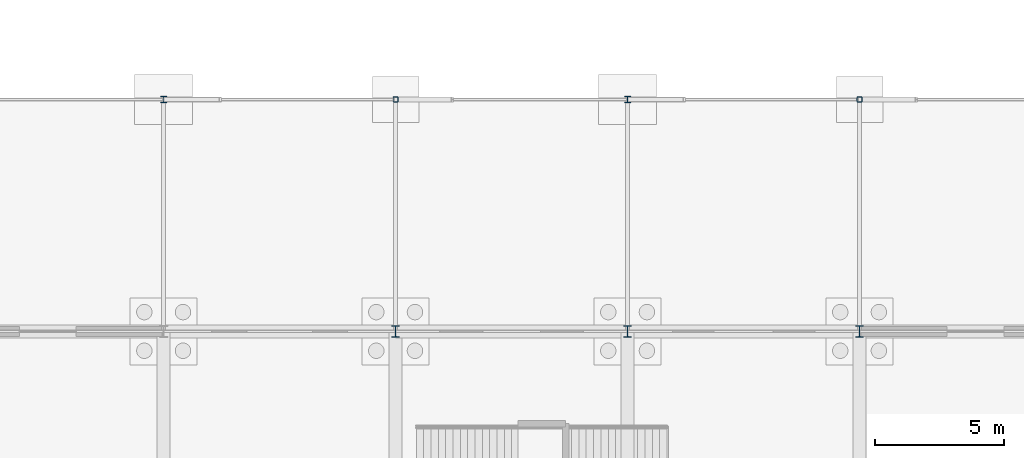
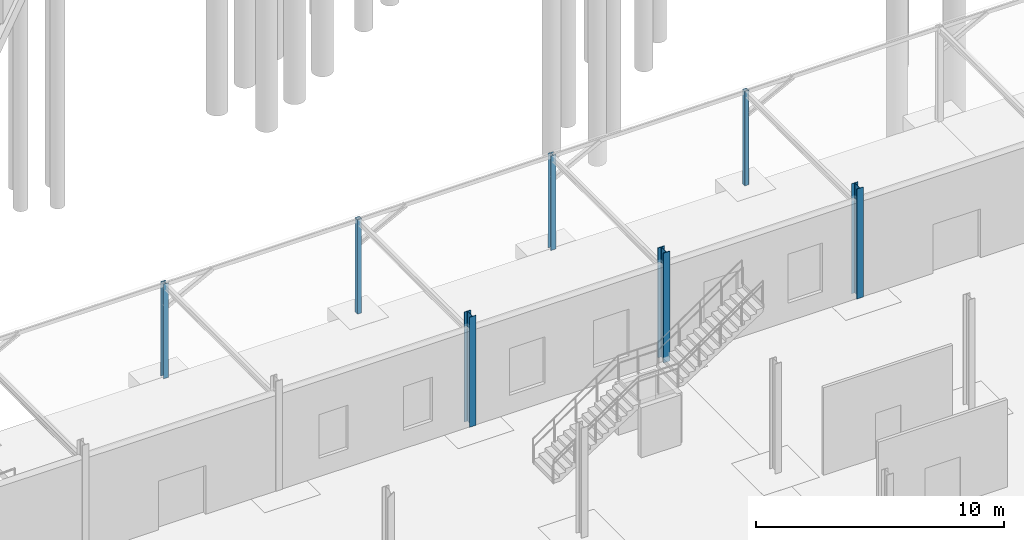
# One storey, part 16 of 118: 7 columns.
"""IFC4 building model written with IfcOpenShell, lengths in metres."""

from ifc_helpers import new_model, si_unit, direction, frame, origin, origin_2d, place, context, subcontext, project, spatial, hollow_rectangle, i_section, extrude, material, material_profile, profile_set, type_object, element, save


model = new_model("IFC4")

# Units and contexts
model_context = context("Model", 3, precision=1e-05, world=origin(), true_north=direction((0.0, 1.0)))
body_context = subcontext(model_context, "Body", "Model", "MODEL_VIEW")
ifc_project = project(units=[si_unit("LENGTHUNIT", "METRE"), si_unit("AREAUNIT", "SQUARE_METRE"), si_unit("VOLUMEUNIT", "CUBIC_METRE"), si_unit("PLANEANGLEUNIT", "RADIAN"), si_unit("MASSUNIT", "GRAM", prefix="KILO")], contexts=[model_context])

# Site, building, storey
site_placement = place(None, origin())
site = spatial("IfcSite", under=ifc_project, at=site_placement, CompositionType="ELEMENT")
building_placement = place(site_placement, origin())
building = spatial("IfcBuilding", under=site, at=building_placement, Name="Kildeholm Park Wholesale Market", CompositionType="ELEMENT")
storey_placement = place(building_placement, origin())
storey = spatial("IfcBuildingStorey", under=building, at=storey_placement, Name="L00", CompositionType="ELEMENT", Elevation=0.0)

# Columns
ifc_material = material(Name="Steel S355", Category="steel")
ifc_material_profile_1 = material_profile(ifc_material, i_section(OverallWidth=0.239990234375, OverallDepth=0.239990234375, WebThickness=0.010009765625, FlangeThickness=0.01708984375, FilletRadius=0.02099609375, at=origin_2d()), Name="HEB 240")
ifc_profile_set_1 = profile_set([ifc_material_profile_1], Name="Steel S355")
column_type_1 = type_object("IfcColumnType", Name="Column C-S01 HEB 240", PredefinedType="COLUMN", material=ifc_profile_set_1)
for number, where, z_axis, x_axis, name in (
    (1, (27.0, 36.0, 0.0), (0.0, 0.0, 1.0), (1.0, 0.0, 0.0), "Public passage column 027-036 COL-0881"),
    (2, (45.0, 36.0, 0.0), (0.0, 0.0, 1.0), (1.0, 0.0, 0.0), "Public passage column 045-036 COL-0883"),
):
    element("IfcColumn", number, at=place(storey_placement, frame(where, z_axis=z_axis, x_axis=x_axis)), inside=storey, type_object=column_type_1, Name=name, PredefinedType="COLUMN", context=body_context, shape_type="SweptSolid", body=[
        extrude(i_section(OverallWidth=0.239990234375, OverallDepth=0.239990234375, WebThickness=0.010009765625, FlangeThickness=0.01708984375, FilletRadius=0.02099609375, at=origin_2d()), origin(), (0.0, 0.0, 1.0), 4.639892578125),
    ])
ifc_material_profile_2 = material_profile(ifc_material, i_section(OverallWidth=0.300048828125, OverallDepth=0.449951171875, WebThickness=0.013916015625, FlangeThickness=0.02587890625, FilletRadius=0.027099609375, at=origin_2d()), Name="HEB 450")
ifc_profile_set_2 = profile_set([ifc_material_profile_2], Name="Steel S355")
column_type_2 = type_object("IfcColumnType", Name="Column C-S06 HEB 450", PredefinedType="COLUMN", material=ifc_profile_set_2)
for number, where, z_axis, x_axis, name in (
    (3, (36.0, 27.0, 0.0), (0.0, 0.0, 1.0), (1.0, 0.0, 0.0), "Column V5W-036-027 L00 COL-0691"),
    (4, (45.0, 27.0, 0.0), (0.0, 0.0, 1.0), (1.0, 0.0, 0.0), "Column V5W-045-027 L00 COL-0705"),
    (5, (54.0, 27.0, 0.0), (0.0, 0.0, 1.0), (1.0, 0.0, 0.0), "Column V5W-054-027 L00 COL-0719"),
):
    element("IfcColumn", number, at=place(storey_placement, frame(where, z_axis=z_axis, x_axis=x_axis)), inside=storey, type_object=column_type_2, Name=name, PredefinedType="COLUMN", context=body_context, shape_type="SweptSolid", body=[
        extrude(i_section(OverallWidth=0.300048828125, OverallDepth=0.449951171875, WebThickness=0.013916015625, FlangeThickness=0.02587890625, FilletRadius=0.027099609375, at=origin_2d()), origin(), (0.0, 0.0, 1.0), 5.39990234375),
    ])
ifc_material_profile_3 = material_profile(ifc_material, hollow_rectangle(XDim=0.199951171875, YDim=0.199951171875, WallThickness=0.012451171875, InnerFilletRadius=0.012451171875, OuterFilletRadius=0.02490234375, at=origin_2d()), Name="SHS 200x200x12.5")
ifc_profile_set_3 = profile_set([ifc_material_profile_3], Name="Steel S355")
column_type_3 = type_object("IfcColumnType", Name="Column C-S12 SHS 200x200x12.5", PredefinedType="COLUMN", material=ifc_profile_set_3)
for number, where, z_axis, x_axis, name in (
    (6, (36.0, 36.0, 0.0), (0.0, 0.0, 1.0), (1.0, 0.0, 0.0), "Public passage column 036-036 COL-0882"),
    (7, (54.0, 36.0, 0.0), (0.0, 0.0, 1.0), (1.0, 0.0, 0.0), "Public passage column 054-036 COL-0884"),
):
    element("IfcColumn", number, at=place(storey_placement, frame(where, z_axis=z_axis, x_axis=x_axis)), inside=storey, type_object=column_type_3, Name=name, PredefinedType="COLUMN", context=body_context, shape_type="SweptSolid", body=[
        extrude(hollow_rectangle(XDim=0.199951171875, YDim=0.199951171875, WallThickness=0.012451171875, InnerFilletRadius=0.012451171875, OuterFilletRadius=0.02490234375, at=origin_2d()), origin(), (0.0, 0.0, 1.0), 4.639892578125),
    ])

save(model, "model.ifc")
